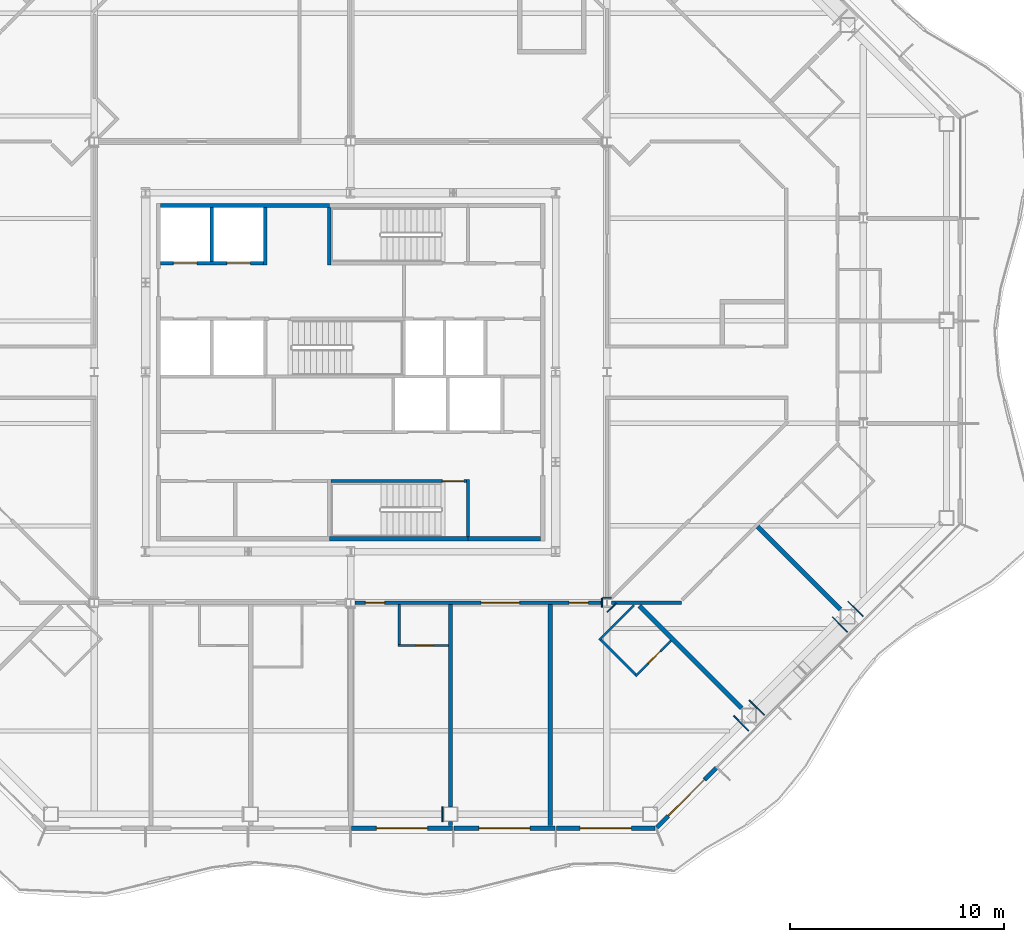
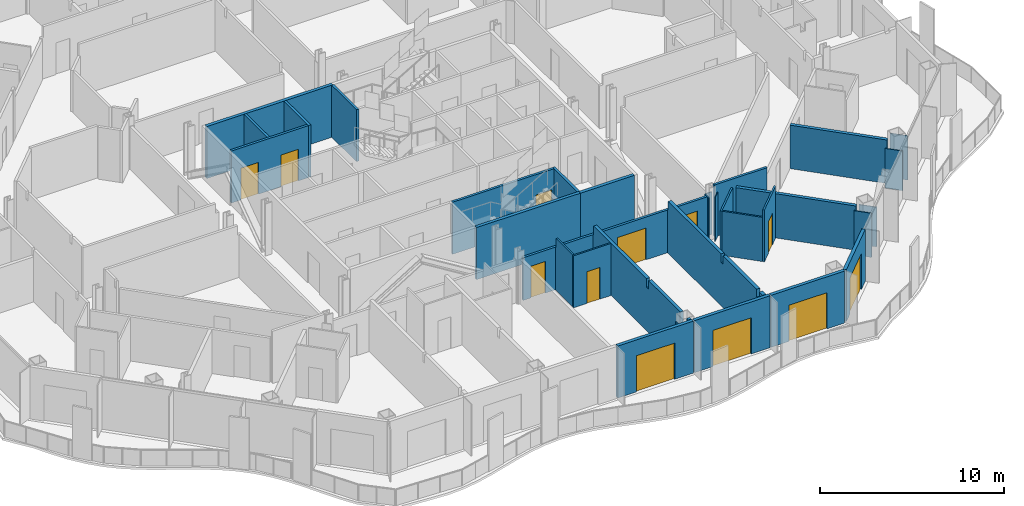
# One storey, part 9 of 21: 33 walls, 12 doors, 12 openings.
"""IFC4 building model written with IfcOpenShell, lengths in metres."""

from ifc_helpers import new_model, si_unit, direction, frame, frame_2d, origin, place, context, subcontext, project, spatial, polyline, rectangle, outline, extrude, material, layer, layer_set, type_object, element, fill, save


model = new_model("IFC4")

# Units and contexts
model_context = context("Model", 3, precision=1e-05, world=origin(), true_north=direction((0.0, 1.0)))
body_context = subcontext(model_context, "Body", "Model", "MODEL_VIEW")
ifc_project = project(units=[si_unit("LENGTHUNIT", "METRE"), si_unit("AREAUNIT", "SQUARE_METRE"), si_unit("VOLUMEUNIT", "CUBIC_METRE"), si_unit("PLANEANGLEUNIT", "RADIAN"), si_unit("MASSUNIT", "GRAM", prefix="KILO")], contexts=[model_context])

# Site, building, storey
site_placement = place(None, origin())
site = spatial("IfcSite", under=ifc_project, at=site_placement, CompositionType="ELEMENT")
building_placement = place(site_placement, origin())
building = spatial("IfcBuilding", under=site, at=building_placement, Name="Cairn Pilgrim Tower", CompositionType="ELEMENT")
storey_placement = place(building_placement, frame((0.0, 0.0, 136.199951171875)))
storey = spatial("IfcBuildingStorey", under=building, at=storey_placement, Name="L33", CompositionType="ELEMENT", Elevation=136.199951171875)

# Wall, opening, door
ifc_material_1 = material(Name="Bronze anodised aluminium insulated sandwich panel with mineral wool fill", Category="aluminium")
ifc_layer_1 = layer(ifc_material_1, 0.199951171875)
ifc_layer_set_1 = layer_set([ifc_layer_1], Name="BRONZE INFILL FRAME WALL 200")
wall_type_1 = type_object("IfcWallType", Name="BRONZE INFILL FRAME WALL 200", PredefinedType="NOTDEFINED", material=ifc_layer_set_1)
wall_1_placement = place(storey_placement, frame((7.22998046875, -18.949951171875, 0.0), z_axis=(0.0, 0.0, 1.0), x_axis=(1.0, 0.0, 0.0)))
wall_1 = element("IfcWall", 1, at=wall_1_placement, inside=storey, type_object=wall_type_1, Name="Bronze infill frame wall IW-S4", PredefinedType="NOTDEFINED", context=body_context, shape_type="SweptSolid", body=[
    extrude(rectangle(XDim=4.739990234375, YDim=0.199951171875, at=frame_2d((2.3701171875, 0.0))), origin(), (0.0, 0.0, 1.0), 3.449951171875),
])
opening_1_placement = place(wall_1_placement, frame((1.169921875, 0.0, 0.0)))
opening_1 = element("IfcOpeningElement", 2, at=opening_1_placement, cuts=wall_1, Name="Opening 3301B", PredefinedType="OPENING", context=body_context, shape_type="SweptSolid", body=[
    extrude(rectangle(XDim=2.39990234375, YDim=2.39990234375, at=frame_2d((1.199951171875, 1.199951171875))), frame((0.0, 0.10986328125, 0.0), z_axis=(0.0, -1.0, 0.0), x_axis=(1.0, 0.0, 0.0)), (0.0, 0.0, 1.0), 0.219970703125),
])
ifc_material_2 = material(Name="Bronze anodised aluminium frame with tinted low-E glass", Category="aluminium")
door_type_1 = type_object("IfcDoorType", Name="BALCONY SLIDING DOOR 2400x2400", OperationType="DOUBLE_DOOR_SLIDING", PredefinedType="DOOR", material=ifc_material_2)
door_1_placement = place(opening_1_placement, origin())
door_1 = element("IfcDoor", 3, at=door_1_placement, inside=storey, type_object=door_type_1, Name="Balcony sliding door 3301B", OperationType="SINGLE_SWING_LEFT", OverallHeight=2.39990234375, OverallWidth=2.39990234375, PredefinedType="DOOR", context=body_context, shape_type="SweptSolid", body=[
    extrude(rectangle(XDim=2.39990234375, YDim=2.39990234375, at=frame_2d((1.199951171875, 1.199951171875))), frame((0.0, 0.02490234375, 0.0), z_axis=(0.0, -1.0, 0.0), x_axis=(1.0, 0.0, 0.0)), (0.0, 0.0, 1.0), 0.050048828125),
])
fill(opening_1, door_1)

wall_2_placement = place(storey_placement, frame((12.030029296875, -18.949951171875, 0.0), z_axis=(0.0, 0.0, 1.0), x_axis=(1.0, 0.0, 0.0)))
wall_2 = element("IfcWall", 4, at=wall_2_placement, inside=storey, type_object=wall_type_1, Name="Bronze infill frame wall IW-S5", PredefinedType="NOTDEFINED", context=body_context, shape_type="SweptSolid", body=[
    extrude(rectangle(XDim=4.739990234375, YDim=0.199951171875, at=frame_2d((2.3701171875, 0.0))), origin(), (0.0, 0.0, 1.0), 3.449951171875),
])
opening_2_placement = place(wall_2_placement, frame((1.169677734375, 0.0, 0.0)))
opening_2 = element("IfcOpeningElement", 5, at=opening_2_placement, cuts=wall_2, Name="Opening 3302B", PredefinedType="OPENING", context=body_context, shape_type="SweptSolid", body=[
    extrude(rectangle(XDim=2.39990234375, YDim=2.39990234375, at=frame_2d((1.199951171875, 1.199951171875))), frame((0.0, 0.10986328125, 0.0), z_axis=(0.0, -1.0, 0.0), x_axis=(1.0, 0.0, 0.0)), (0.0, 0.0, 1.0), 0.219970703125),
])
door_2_placement = place(opening_2_placement, origin())
door_2 = element("IfcDoor", 6, at=door_2_placement, inside=storey, type_object=door_type_1, Name="Balcony sliding door 3302B", OperationType="SINGLE_SWING_LEFT", OverallHeight=2.39990234375, OverallWidth=2.39990234375, PredefinedType="DOOR", context=body_context, shape_type="SweptSolid", body=[
    extrude(rectangle(XDim=2.39990234375, YDim=2.39990234375, at=frame_2d((1.199951171875, 1.199951171875))), frame((0.0, 0.02490234375, 0.0), z_axis=(0.0, -1.0, 0.0), x_axis=(1.0, 0.0, 0.0)), (0.0, 0.0, 1.0), 0.050048828125),
])
fill(opening_2, door_2)

wall_3_placement = place(storey_placement, frame((16.830078125, -18.949951171875, 0.0), z_axis=(0.0, 0.0, 1.0), x_axis=(1.0, 0.0, 0.0)))
wall_3 = element("IfcWall", 7, at=wall_3_placement, inside=storey, type_object=wall_type_1, Name="Bronze infill frame wall IW-S6", PredefinedType="NOTDEFINED", context=body_context, shape_type="SweptSolid", body=[
    extrude(rectangle(XDim=4.62646484375, YDim=0.199951171875, at=frame_2d((2.313232421875, 0.0))), origin(), (0.0, 0.0, 1.0), 3.449951171875),
])
opening_3_placement = place(wall_3_placement, frame((1.118408203125, 0.0, 0.0)))
opening_3 = element("IfcOpeningElement", 8, at=opening_3_placement, cuts=wall_3, Name="Opening 3303B2", PredefinedType="OPENING", context=body_context, shape_type="SweptSolid", body=[
    extrude(rectangle(XDim=2.39990234375, YDim=2.39990234375, at=frame_2d((1.199951171875, 1.199951171875))), frame((0.0, 0.10986328125, 0.0), z_axis=(0.0, -1.0, 0.0), x_axis=(1.0, 0.0, 0.0)), (0.0, 0.0, 1.0), 0.219970703125),
])
door_3_placement = place(opening_3_placement, origin())
door_3 = element("IfcDoor", 9, at=door_3_placement, inside=storey, type_object=door_type_1, Name="Balcony sliding door 3303B2", OperationType="SINGLE_SWING_LEFT", OverallHeight=2.39990234375, OverallWidth=2.39990234375, PredefinedType="DOOR", context=body_context, shape_type="SweptSolid", body=[
    extrude(rectangle(XDim=2.39990234375, YDim=2.39990234375, at=frame_2d((1.199951171875, 1.199951171875))), frame((0.0, 0.02490234375, 0.0), z_axis=(0.0, -1.0, 0.0), x_axis=(1.0, 0.0, 0.0)), (0.0, 0.0, 1.0), 0.050048828125),
])
fill(opening_3, door_3)

wall_4_placement = place(storey_placement, frame((21.524658203125, -18.921630859375, 0.0), z_axis=(0.0, 0.0, 1.0), x_axis=(0.707137595296, 0.707075965734, 0.0)))
wall_4 = element("IfcWall", 10, at=wall_4_placement, inside=storey, type_object=wall_type_1, Name="Bronze infill frame wall IW-SE1", PredefinedType="NOTDEFINED", context=body_context, shape_type="SweptSolid", body=[
    extrude(rectangle(XDim=3.96142578125, YDim=0.199951171875, at=frame_2d((1.980712890625, 0.0))), origin(), (0.0, 0.0, 1.0), 3.449951171875),
])
opening_4_placement = place(wall_4_placement, frame((0.775390625, 0.0, 0.0)))
opening_4 = element("IfcOpeningElement", 11, at=opening_4_placement, cuts=wall_4, Name="Opening 3303B", PredefinedType="OPENING", context=body_context, shape_type="SweptSolid", body=[
    extrude(rectangle(XDim=2.39990234375, YDim=2.39990234375, at=frame_2d((1.199951171875, 1.199951171875))), frame((0.0, 0.10986328125, 0.0), z_axis=(0.0, -1.0, 0.0), x_axis=(1.0, 0.0, 0.0)), (0.0, 0.0, 1.0), 0.219970703125),
])
door_4_placement = place(opening_4_placement, origin())
door_4 = element("IfcDoor", 12, at=door_4_placement, inside=storey, type_object=door_type_1, Name="Balcony sliding door 3303B", OperationType="SINGLE_SWING_LEFT", OverallHeight=2.39990234375, OverallWidth=2.39990234375, PredefinedType="DOOR", context=body_context, shape_type="SweptSolid", body=[
    extrude(rectangle(XDim=2.39990234375, YDim=2.39990234375, at=frame_2d((1.199951171875, 1.199951171875))), frame((0.0, 0.02490234375, 0.0), z_axis=(0.0, -1.0, 0.0), x_axis=(1.0, 0.0, 0.0)), (0.0, 0.0, 1.0), 0.050048828125),
])
fill(opening_4, door_4)

# Walls
ifc_material_3 = material(Name="Concrete C32/40", Category="concrete")
ifc_layer_2 = layer(ifc_material_3, 0.199951171875)
ifc_layer_set_2 = layer_set([ifc_layer_2], Name="CORE OUTER WALL 200 EI 120")
wall_type_2 = type_object("IfcWallType", Name="CORE OUTER WALL 200 EI 120", PredefinedType="SOLIDWALL", material=ifc_layer_set_2)
wall_5_placement = place(storey_placement, frame((12.699951171875, -5.39990234375, 0.0), z_axis=(0.0, 0.0, 1.0), x_axis=(1.0, 0.0, 0.0)))
element("IfcWall", 13, at=wall_5_placement, inside=storey, type_object=wall_type_2, Name="CW:L33:H01-3", PredefinedType="SOLIDWALL", context=body_context, shape_type="SweptSolid", body=[
    extrude(rectangle(XDim=3.400146484375, YDim=0.199951171875, at=frame_2d((1.7001953125, 0.0))), origin(), (0.0, 0.0, 1.0), 3.449951171875),
])
wall_6_placement = place(storey_placement, frame((-1.699951171875, 10.199951171875, 0.0), z_axis=(0.0, 0.0, 1.0), x_axis=(1.0, 0.0, 0.0)))
element("IfcWall", 14, at=wall_6_placement, inside=storey, type_object=wall_type_2, Name="CW:L33:H12-1", PredefinedType="SOLIDWALL", context=body_context, shape_type="SweptSolid", body=[
    extrude(rectangle(XDim=7.89990234375, YDim=0.199951171875, at=frame_2d((3.949951171875, 0.0))), origin(), (0.0, 0.0, 1.0), 3.449951171875),
])

# Wall, openings, doors
ifc_layer_3 = layer(ifc_material_3, 0.14990234375)
ifc_layer_set_3 = layer_set([ifc_layer_3], Name="CORE SHAFT WALL 150 EI 120")
wall_type_3 = type_object("IfcWallType", Name="CORE SHAFT WALL 150 EI 120", PredefinedType="SOLIDWALL", material=ifc_layer_set_3)
wall_7_placement = place(storey_placement, frame((-1.699951171875, 7.5, 0.0), z_axis=(0.0, 0.0, 1.0), x_axis=(1.0, 0.0, 0.0)))
wall_7 = element("IfcWall", 15, at=wall_7_placement, inside=storey, type_object=wall_type_3, Name="CW:L33:H10", PredefinedType="SOLIDWALL", context=body_context, shape_type="SweptSolid", body=[
    extrude(rectangle(XDim=4.824951171875, YDim=0.14990234375, at=frame_2d((2.41259765625, 0.0))), origin(), (0.0, 0.0, 1.0), 3.449951171875),
])
opening_5_placement = place(wall_7_placement, frame((0.60009765625, 0.0, 0.0)))
opening_5 = element("IfcOpeningElement", 16, at=opening_5_placement, cuts=wall_7, Name="Opening LD-HR3", PredefinedType="OPENING", context=body_context, shape_type="SweptSolid", body=[
    extrude(rectangle(XDim=1.10009765625, YDim=2.10009765625, at=frame_2d((0.550048828125, 1.050048828125))), frame((0.0, 0.0849609375, 0.0), z_axis=(0.0, -1.0, 0.0), x_axis=(1.0, 0.0, 0.0)), (0.0, 0.0, 1.0), 0.169921875),
])
opening_6_placement = place(wall_7_placement, frame((3.10009765625, 0.0, 0.0)))
opening_6 = element("IfcOpeningElement", 17, at=opening_6_placement, cuts=wall_7, Name="Opening LD-HR4", PredefinedType="OPENING", context=body_context, shape_type="SweptSolid", body=[
    extrude(rectangle(XDim=1.10009765625, YDim=2.10009765625, at=frame_2d((0.550048828125, 1.050048828125))), frame((0.0, 0.0849609375, 0.0), z_axis=(0.0, -1.0, 0.0), x_axis=(1.0, 0.0, 0.0)), (0.0, 0.0, 1.0), 0.169921875),
])
ifc_material_4 = material(Name="Stainless steel", Category="steel")
door_type_2 = type_object("IfcDoorType", Name="LIFT LANDING DOOR 1100x2100", OperationType="DOUBLE_DOOR_SLIDING", PredefinedType="DOOR", material=ifc_material_4)
door_5_placement = place(opening_5_placement, origin())
door_5 = element("IfcDoor", 18, at=door_5_placement, inside=storey, type_object=door_type_2, Name="LANDING DOOR HR3", OperationType="DOUBLE_DOOR_SLIDING", OverallHeight=2.10009765625, OverallWidth=1.10009765625, PredefinedType="DOOR", context=body_context, shape_type="SweptSolid", body=[
    extrude(rectangle(XDim=1.10009765625, YDim=2.10009765625, at=frame_2d((0.550048828125, 1.050048828125))), frame((0.0, 0.02490234375, 0.0), z_axis=(0.0, -1.0, 0.0), x_axis=(1.0, 0.0, 0.0)), (0.0, 0.0, 1.0), 0.050048828125),
])
fill(opening_5, door_5)
door_6_placement = place(opening_6_placement, origin())
door_6 = element("IfcDoor", 19, at=door_6_placement, inside=storey, type_object=door_type_2, Name="LANDING DOOR HR4", OperationType="DOUBLE_DOOR_SLIDING", OverallHeight=2.10009765625, OverallWidth=1.10009765625, PredefinedType="DOOR", context=body_context, shape_type="SweptSolid", body=[
    extrude(rectangle(XDim=1.10009765625, YDim=2.10009765625, at=frame_2d((0.550048828125, 1.050048828125))), frame((0.0, 0.02490234375, 0.0), z_axis=(0.0, -1.0, 0.0), x_axis=(1.0, 0.0, 0.0)), (0.0, 0.0, 1.0), 0.050048828125),
])
fill(opening_6, door_6)

# Walls
wall_8_placement = place(storey_placement, frame((0.699951171875, 7.574951171875, 0.0), z_axis=(0.0, 0.0, 1.0), x_axis=(0.0, 1.0, 0.0)))
element("IfcWall", 20, at=wall_8_placement, inside=storey, type_object=wall_type_3, Name="CW:L33:V15", PredefinedType="SOLIDWALL", context=body_context, shape_type="SweptSolid", body=[
    extrude(rectangle(XDim=2.525146484375, YDim=0.14990234375, at=frame_2d((1.2626953125, 0.0))), origin(), (0.0, 0.0, 1.0), 3.449951171875),
])
wall_9_placement = place(storey_placement, frame((3.199951171875, 7.425048828125, 0.0), z_axis=(0.0, 0.0, 1.0), x_axis=(0.0, 1.0, 0.0)))
element("IfcWall", 21, at=wall_9_placement, inside=storey, type_object=wall_type_3, Name="CW:L33:V18", PredefinedType="SOLIDWALL", context=body_context, shape_type="SweptSolid", body=[
    extrude(rectangle(XDim=2.675048828125, YDim=0.14990234375, at=frame_2d((1.33740234375, 0.0))), origin(), (0.0, 0.0, 1.0), 3.449951171875),
])

# Wall, opening, door
ifc_material_5 = material(Name="Gypsum partition")
ifc_layer_4 = layer(ifc_material_5, 0.10009765625)
ifc_layer_set_4 = layer_set([ifc_layer_4], Name="PARTITION 100 DRYWALL")
wall_type_4 = type_object("IfcWallType", Name="PARTITION 100 DRYWALL", PredefinedType="PARTITIONING", material=ifc_layer_set_4)
wall_10_placement = place(storey_placement, frame((20.54052734375, -11.829345703125, 0.0), z_axis=(0.0, 0.0, 1.0), x_axis=(0.707158722772, 0.707054835785, 0.0)))
wall_10 = element("IfcWall", 22, at=wall_10_placement, inside=storey, type_object=wall_type_4, Name="PARTITION W012", PredefinedType="PARTITIONING", context=body_context, shape_type="SweptSolid", body=[
    extrude(rectangle(XDim=2.35009765625, YDim=0.10009765625, at=frame_2d((1.175048828125, 0.0))), origin(), (0.0, 0.0, 1.0), 3.449951171875),
])
opening_7_placement = place(wall_10_placement, frame((0.85009765625, 0.0, 0.0)))
opening_7 = element("IfcOpeningElement", 23, at=opening_7_placement, cuts=wall_10, Name="Opening 3303A", PredefinedType="OPENING", context=body_context, shape_type="SweptSolid", body=[
    extrude(rectangle(XDim=0.800048828125, YDim=2.10009765625, at=frame_2d((0.39990234375, 1.050048828125))), frame((0.0, 0.06005859375, 0.0), z_axis=(0.0, -1.0, 0.0), x_axis=(1.0, 0.0, 0.0)), (0.0, 0.0, 1.0), 0.1201171875),
])
ifc_material_6 = material(Name="Timber door leaf", Category="wood")
door_type_3 = type_object("IfcDoorType", Name="WC DOOR 800x2100", OperationType="NOTDEFINED", PredefinedType="DOOR", material=ifc_material_6)
door_7_placement = place(opening_7_placement, frame((0.800048828125, 0.0, 0.0), z_axis=(0.0, 0.0, 1.0), x_axis=(-1.0, 0.0, 0.0)))
door_7 = element("IfcDoor", 24, at=door_7_placement, inside=storey, type_object=door_type_3, Name="DOOR 3303A", OperationType="SINGLE_SWING_LEFT", OverallHeight=2.10009765625, OverallWidth=0.800048828125, PredefinedType="DOOR", context=body_context, shape_type="SweptSolid", body=[
    extrude(rectangle(XDim=0.800048828125, YDim=2.10009765625, at=frame_2d((0.39990234375, 1.050048828125))), frame((0.0, 0.02490234375, 0.0), z_axis=(0.0, -1.0, 0.0), x_axis=(1.0, 0.0, 0.0)), (0.0, 0.0, 1.0), 0.050048828125),
])
fill(opening_7, door_7)

# Wall
wall_11_placement = place(storey_placement, frame((20.54052734375, -11.758544921875, 0.0), z_axis=(0.0, 0.0, 1.0), x_axis=(-0.707106781187, 0.707106781187, 0.0)))
element("IfcWall", 25, at=wall_11_placement, inside=storey, type_object=wall_type_4, Name="PARTITION W013", PredefinedType="PARTITIONING", context=body_context, shape_type="SweptSolid", body=[
    extrude(rectangle(XDim=2.2998046875, YDim=0.10009765625, at=frame_2d((1.14990234375, 0.0))), origin(), (0.0, 0.0, 1.0), 2.929931640625),
])

# Wall, opening, door
wall_12_placement = place(storey_placement, frame((9.426025390625, -10.39990234375, 0.0), z_axis=(0.0, 0.0, 1.0), x_axis=(1.0, 0.0, 0.0)))
wall_12 = element("IfcWall", 26, at=wall_12_placement, inside=storey, type_object=wall_type_4, Name="PARTITION W018", PredefinedType="PARTITIONING", context=body_context, shape_type="SweptSolid", body=[
    extrude(rectangle(XDim=2.349853515625, YDim=0.10009765625, at=frame_2d((1.1748046875, 0.0))), origin(), (0.0, 0.0, 1.0), 3.449951171875),
])
opening_8_placement = place(wall_12_placement, frame((0.85009765625, 0.0, 0.0)))
opening_8 = element("IfcOpeningElement", 27, at=opening_8_placement, cuts=wall_12, Name="Opening 3301A", PredefinedType="OPENING", context=body_context, shape_type="SweptSolid", body=[
    extrude(rectangle(XDim=0.800048828125, YDim=2.10009765625, at=frame_2d((0.39990234375, 1.050048828125))), frame((0.0, 0.06005859375, 0.0), z_axis=(0.0, -1.0, 0.0), x_axis=(1.0, 0.0, 0.0)), (0.0, 0.0, 1.0), 0.1201171875),
])
door_8_placement = place(opening_8_placement, frame((0.800048828125, 0.0, 0.0), z_axis=(0.0, 0.0, 1.0), x_axis=(-1.0, 0.0, 0.0)))
door_8 = element("IfcDoor", 28, at=door_8_placement, inside=storey, type_object=door_type_3, Name="DOOR 3301A", OperationType="SINGLE_SWING_LEFT", OverallHeight=2.10009765625, OverallWidth=0.800048828125, PredefinedType="DOOR", context=body_context, shape_type="SweptSolid", body=[
    extrude(rectangle(XDim=0.800048828125, YDim=2.10009765625, at=frame_2d((0.39990234375, 1.050048828125))), frame((0.0, 0.02490234375, 0.0), z_axis=(0.0, -1.0, 0.0), x_axis=(1.0, 0.0, 0.0)), (0.0, 0.0, 1.0), 0.050048828125),
])
fill(opening_8, door_8)

# Walls
wall_13_placement = place(storey_placement, frame((9.47607421875, -10.35009765625, 0.0), z_axis=(0.0, 0.0, 1.0), x_axis=(0.0, 1.0, 0.0)))
element("IfcWall", 29, at=wall_13_placement, inside=storey, type_object=wall_type_4, Name="PARTITION W020", PredefinedType="PARTITIONING", context=body_context, shape_type="SweptSolid", body=[
    extrude(outline(polyline([(0.0, 0.0), (1.875, 0.0), (1.875, 2.830078125), (1.800048828125, 2.830078125), (1.798095703125, 3.449951171875), (0.0, 3.449951171875), (0.0, 0.0)])), frame((0.0, 0.050048828125, 0.0), z_axis=(0.0, -1.0, 0.0), x_axis=(1.0, 0.0, 0.0)), (0.0, 0.0, 1.0), 0.10009765625),
])
wall_14_placement = place(storey_placement, frame((18.843505859375, -10.13232421875, 0.0), z_axis=(0.0, 0.0, 1.0), x_axis=(0.707159989116, 0.707053569253, 0.0)))
element("IfcWall", 30, at=wall_14_placement, inside=storey, type_object=wall_type_4, Name="PARTITION W022", PredefinedType="PARTITIONING", context=body_context, shape_type="SweptSolid", body=[
    extrude(rectangle(XDim=2.294189453125, YDim=0.10009765625, at=frame_2d((1.14697265625, 0.0))), origin(), (0.0, 0.0, 1.0), 2.929931640625),
])

# Wall, openings, doors
ifc_layer_5 = layer(ifc_material_5, 0.14990234375)
ifc_layer_set_5 = layer_set([ifc_layer_5], Name="PARTITION 150 DRYWALL EI 60")
wall_type_5 = type_object("IfcWallType", Name="PARTITION 150 DRYWALL EI 60", PredefinedType="PARTITIONING", material=ifc_layer_set_5)
wall_15_placement = place(storey_placement, frame((7.404541015625, -8.39990234375, 0.0), z_axis=(0.0, 0.0, 1.0), x_axis=(1.0, 0.0, 0.0)))
wall_15 = element("IfcWall", 31, at=wall_15_placement, inside=storey, type_object=wall_type_5, Name="PARTITION W027", PredefinedType="PARTITIONING", context=body_context, shape_type="SweptSolid", body=[
    extrude(rectangle(XDim=11.591064453125, YDim=0.14990234375, at=frame_2d((5.79541015625, 0.0))), origin(), (0.0, 0.0, 1.0), 2.830078125),
])
opening_9_placement = place(wall_15_placement, frame((0.4833984375, 0.0, 0.0)))
opening_9 = element("IfcOpeningElement", 32, at=opening_9_placement, cuts=wall_15, Name="Opening 3301", PredefinedType="OPENING", context=body_context, shape_type="SweptSolid", body=[
    extrude(rectangle(XDim=0.89990234375, YDim=2.10009765625, at=frame_2d((0.449951171875, 1.050048828125))), frame((0.0, 0.0849609375, 0.0), z_axis=(0.0, -1.0, 0.0), x_axis=(1.0, 0.0, 0.0)), (0.0, 0.0, 1.0), 0.169921875),
])
opening_10_placement = place(wall_15_placement, frame((5.909423828125, 0.0, 0.0)))
opening_10 = element("IfcOpeningElement", 33, at=opening_10_placement, cuts=wall_15, Name="Opening 3302", PredefinedType="OPENING", context=body_context, shape_type="SweptSolid", body=[
    extrude(rectangle(XDim=1.800048828125, YDim=2.10009765625, at=frame_2d((0.89990234375, 1.050048828125))), frame((0.0, 0.0849609375, 0.0), z_axis=(0.0, -1.0, 0.0), x_axis=(1.0, 0.0, 0.0)), (0.0, 0.0, 1.0), 0.169921875),
])
opening_11_placement = place(wall_15_placement, frame((10.021484375, 0.0, 0.0)))
opening_11 = element("IfcOpeningElement", 34, at=opening_11_placement, cuts=wall_15, Name="Opening 3303", PredefinedType="OPENING", context=body_context, shape_type="SweptSolid", body=[
    extrude(rectangle(XDim=0.89990234375, YDim=2.10009765625, at=frame_2d((0.449951171875, 1.050048828125))), frame((0.0, 0.0849609375, 0.0), z_axis=(0.0, -1.0, 0.0), x_axis=(1.0, 0.0, 0.0)), (0.0, 0.0, 1.0), 0.169921875),
])
door_type_4 = type_object("IfcDoorType", Name="DOOR PAIR 1800x2100 FD60S", OperationType="NOTDEFINED", PredefinedType="DOOR", material=ifc_material_6)
door_9_placement = place(opening_10_placement, frame((1.800048828125, 0.0, 0.0), z_axis=(0.0, 0.0, 1.0), x_axis=(-1.0, 0.0, 0.0)))
door_9 = element("IfcDoor", 35, at=door_9_placement, inside=storey, type_object=door_type_4, Name="DOOR 3302", OperationType="DOUBLE_DOOR_SINGLE_SWING", OverallHeight=2.10009765625, OverallWidth=1.800048828125, PredefinedType="DOOR", context=body_context, shape_type="SweptSolid", body=[
    extrude(rectangle(XDim=1.800048828125, YDim=2.10009765625, at=frame_2d((0.89990234375, 1.050048828125))), frame((0.0, 0.02490234375, 0.0), z_axis=(0.0, -1.0, 0.0), x_axis=(1.0, 0.0, 0.0)), (0.0, 0.0, 1.0), 0.050048828125),
])
fill(opening_10, door_9)
door_type_5 = type_object("IfcDoorType", Name="ROOM DOOR 900x2100 FD30S", OperationType="NOTDEFINED", PredefinedType="DOOR", material=ifc_material_6)
door_10_placement = place(opening_9_placement, frame((0.89990234375, 0.0, 0.0), z_axis=(0.0, 0.0, 1.0), x_axis=(-1.0, 0.0, 0.0)))
door_10 = element("IfcDoor", 36, at=door_10_placement, inside=storey, type_object=door_type_5, Name="DOOR 3301", OperationType="SINGLE_SWING_LEFT", OverallHeight=2.10009765625, OverallWidth=0.89990234375, PredefinedType="DOOR", context=body_context, shape_type="SweptSolid", body=[
    extrude(rectangle(XDim=0.89990234375, YDim=2.10009765625, at=frame_2d((0.449951171875, 1.050048828125))), frame((0.0, 0.02490234375, 0.0), z_axis=(0.0, -1.0, 0.0), x_axis=(1.0, 0.0, 0.0)), (0.0, 0.0, 1.0), 0.050048828125),
])
fill(opening_9, door_10)
door_11_placement = place(opening_11_placement, frame((0.89990234375, 0.0, 0.0), z_axis=(0.0, 0.0, 1.0), x_axis=(-1.0, 0.0, 0.0)))
door_11 = element("IfcDoor", 37, at=door_11_placement, inside=storey, type_object=door_type_5, Name="DOOR 3303", OperationType="SINGLE_SWING_LEFT", OverallHeight=2.10009765625, OverallWidth=0.89990234375, PredefinedType="DOOR", context=body_context, shape_type="SweptSolid", body=[
    extrude(rectangle(XDim=0.89990234375, YDim=2.10009765625, at=frame_2d((0.449951171875, 1.050048828125))), frame((0.0, 0.02490234375, 0.0), z_axis=(0.0, -1.0, 0.0), x_axis=(1.0, 0.0, 0.0)), (0.0, 0.0, 1.0), 0.050048828125),
])
fill(opening_11, door_11)

# Walls
wall_16_placement = place(storey_placement, frame((19.404541015625, -8.39990234375, 0.0), z_axis=(0.0, 0.0, 1.0), x_axis=(1.0, 0.0, 0.0)))
element("IfcWall", 38, at=wall_16_placement, inside=storey, type_object=wall_type_5, Name="PARTITION W028", PredefinedType="PARTITIONING", context=body_context, shape_type="SweptSolid", body=[
    extrude(rectangle(XDim=3.29541015625, YDim=0.14990234375, at=frame_2d((1.647705078125, 0.0))), origin(), (0.0, 0.0, 1.0), 3.449951171875),
])
ifc_layer_6 = layer(ifc_material_5, 0.050048828125)
ifc_layer_set_6 = layer_set([ifc_layer_6], Name="PARTITION 50 DRYWALL EI 60")
wall_type_6 = type_object("IfcWallType", Name="PARTITION 50 DRYWALL EI 60", PredefinedType="PARTITIONING", material=ifc_layer_set_6)
wall_17_placement = place(storey_placement, frame((11.500732421875, -18.64990234375, 0.0), z_axis=(0.0, 0.0, 1.0), x_axis=(0.0, 1.0, 0.0)))
element("IfcWall", 39, at=wall_17_placement, inside=storey, type_object=wall_type_6, Name="COLUMN CASING WC03", PredefinedType="PARTITIONING", context=body_context, shape_type="SweptSolid", body=[
    extrude(rectangle(XDim=0.699951171875, YDim=0.050048828125, at=frame_2d((0.35009765625, 0.0))), origin(), (0.0, 0.0, 1.0), 2.929931640625),
])
wall_18_placement = place(storey_placement, frame((25.833740234375, -14.393310546875, 0.0), z_axis=(0.0, 0.0, 1.0), x_axis=(-0.707106781187, 0.707106781187, 0.0)))
element("IfcWall", 40, at=wall_18_placement, inside=storey, type_object=wall_type_6, Name="COLUMN CASING WC06", PredefinedType="PARTITIONING", context=body_context, shape_type="SweptSolid", body=[
    extrude(rectangle(XDim=0.989990234375, YDim=0.050048828125, at=frame_2d((0.4951171875, 0.0))), origin(), (0.0, 0.0, 1.0), 2.929931640625),
])
for number, where, z_axis, x_axis, name in (
    (41, (26.569091796875, -13.657958984375, 0.0), (0.0, 0.0, 1.0), (-0.707106781187, 0.707106781187, 0.0), "COLUMN CASING WC07"),
    (42, (30.4580078125, -9.769287109375, 0.0), (0.0, 0.0, 1.0), (-0.706983473703, 0.707230067171, 0.0), "COLUMN CASING WC09"),
):
    element("IfcWall", number, at=place(storey_placement, frame(where, z_axis=z_axis, x_axis=x_axis)), inside=storey, type_object=wall_type_6, Name=name, PredefinedType="PARTITIONING", context=body_context, shape_type="SweptSolid", body=[
        extrude(rectangle(XDim=0.989990234375, YDim=0.050048828125, at=frame_2d((0.4951171875, 0.0))), origin(), (0.0, 0.0, 1.0), 2.630126953125),
    ])
wall_19_placement = place(storey_placement, frame((31.193359375, -9.03369140625, 0.0), z_axis=(0.0, 0.0, 1.0), x_axis=(-0.707106781187, 0.707106781187, 0.0)))
element("IfcWall", 43, at=wall_19_placement, inside=storey, type_object=wall_type_6, Name="COLUMN CASING WC10", PredefinedType="PARTITIONING", context=body_context, shape_type="SweptSolid", body=[
    extrude(rectangle(XDim=0.989990234375, YDim=0.050048828125, at=frame_2d((0.4951171875, 0.0))), origin(), (0.0, 0.0, 1.0), 2.929931640625),
])
wall_20_placement = place(storey_placement, frame((18.99560546875, -8.16259765625, 0.0), z_axis=(0.0, 0.0, 1.0), x_axis=(1.0, 0.0, 0.0)))
element("IfcWall", 44, at=wall_20_placement, inside=storey, type_object=wall_type_6, Name="COLUMN CASING WC13", PredefinedType="PARTITIONING", context=body_context, shape_type="SweptSolid", body=[
    extrude(rectangle(XDim=0.408935546875, YDim=0.050048828125, at=frame_2d((0.20458984375, 0.0))), origin(), (0.0, 0.0, 1.0), 2.830078125),
])
wall_21_placement = place(storey_placement, frame((18.970458984375, -8.612548828125, 0.0), z_axis=(0.0, 0.0, 1.0), x_axis=(0.0, 1.0, 0.0)))
element("IfcWall", 45, at=wall_21_placement, inside=storey, type_object=wall_type_6, Name="COLUMN CASING WC16", PredefinedType="PARTITIONING", context=body_context, shape_type="SweptSolid", body=[
    extrude(rectangle(XDim=0.425048828125, YDim=0.050048828125, at=frame_2d((0.21240234375, 0.0))), origin(), (0.0, 0.0, 1.0), 2.830078125),
])
wall_22_placement = place(storey_placement, frame((19.2177734375, -8.834716796875, 0.0), z_axis=(0.0, 0.0, 1.0), x_axis=(0.707106781187, 0.707106781187, 0.0)))
element("IfcWall", 46, at=wall_22_placement, inside=storey, type_object=wall_type_6, Name="COLUMN CASING WC17", PredefinedType="PARTITIONING", context=body_context, shape_type="SweptSolid", body=[
    extrude(rectangle(XDim=0.589599609375, YDim=0.050048828125, at=frame_2d((0.294921875, 0.0))), origin(), (0.0, 0.0, 1.0), 2.929931640625),
])
ifc_layer_7 = layer(ifc_material_5, 0.199951171875)
ifc_layer_set_7 = layer_set([ifc_layer_7], Name="SHAFT WALL 200 GYPSUM EI 60")
wall_type_7 = type_object("IfcWallType", Name="SHAFT WALL 200 GYPSUM EI 60", PredefinedType="PARTITIONING", material=ifc_layer_set_7)
wall_23_placement = place(storey_placement, frame((11.8759765625, -18.820068359375, 0.0), z_axis=(0.0, 0.0, 1.0), x_axis=(0.0, 1.0, 0.0)))
element("IfcWall", 47, at=wall_23_placement, inside=storey, type_object=wall_type_7, Name="PARTITION W004", PredefinedType="PARTITIONING", context=body_context, shape_type="SweptSolid", body=[
    extrude(rectangle(XDim=0.170166015625, YDim=0.199951171875, at=frame_2d((0.0849609375, 0.0))), origin(), (0.0, 0.0, 1.0), 3.449951171875),
])
wall_24_placement = place(storey_placement, frame((16.552001953125, -18.820068359375, 0.0), z_axis=(0.0, 0.0, 1.0), x_axis=(0.0, 1.0, 0.0)))
element("IfcWall", 48, at=wall_24_placement, inside=storey, type_object=wall_type_7, Name="PARTITION W005", PredefinedType="PARTITIONING", context=body_context, shape_type="SweptSolid", body=[
    extrude(outline(polyline([(0.0, 0.0), (10.344970703125, 0.0), (10.344970703125, 2.830078125), (10.27001953125, 2.830078125), (10.26806640625, 3.449951171875), (4.52490234375, 3.449951171875), (4.52294921875, 2.880126953125), (4.31494140625, 2.880126953125), (4.31298828125, 3.449951171875), (0.669921875, 3.449951171875), (0.66796875, 2.929931640625), (0.3701171875, 2.929931640625), (0.367919921875, 3.449951171875), (0.0, 3.449951171875), (0.0, 0.0)])), frame((0.0, 0.10009765625, 0.0), z_axis=(0.0, -1.0, 0.0), x_axis=(1.0, 0.0, 0.0)), (0.0, 0.0, 1.0), 0.199951171875),
])
wall_25_placement = place(storey_placement, frame((11.8759765625, -17.949951171875, 0.0), z_axis=(0.0, 0.0, 1.0), x_axis=(0.0, 1.0, 0.0)))
element("IfcWall", 49, at=wall_25_placement, inside=storey, type_object=wall_type_7, Name="PARTITION W007", PredefinedType="PARTITIONING", context=body_context, shape_type="SweptSolid", body=[
    extrude(outline(polyline([(0.0, 0.0), (9.474853515625, 0.0), (9.47509765625, 2.830078125), (9.39990234375, 2.830078125), (9.39794921875, 3.449951171875), (3.655029296875, 3.449951171875), (3.653076171875, 2.880126953125), (3.445068359375, 2.880126953125), (3.443115234375, 3.449951171875), (0.0, 3.449951171875), (0.0, 0.0)])), frame((0.0, 0.10009765625, 0.0), z_axis=(0.0, -1.0, 0.0), x_axis=(1.0, 0.0, 0.0)), (0.0, 0.0, 1.0), 0.199951171875),
])
wall_26_placement = place(storey_placement, frame((25.501708984375, -13.32568359375, 0.0), z_axis=(0.0, 0.0, 1.0), x_axis=(-0.707106781187, 0.707106781187, 0.0)))
element("IfcWall", 50, at=wall_26_placement, inside=storey, type_object=wall_type_7, Name="PARTITION W009", PredefinedType="PARTITIONING", context=body_context, shape_type="SweptSolid", body=[
    extrude(rectangle(XDim=6.760009765625, YDim=0.199951171875, at=frame_2d((3.3798828125, 0.0))), origin(), (0.0, 0.0, 1.0), 2.929931640625),
])
wall_27_placement = place(storey_placement, frame((30.12548828125, -8.70166015625, 0.0), z_axis=(0.0, 0.0, 1.0), x_axis=(-0.707084440093, 0.707129121574, 0.0)))
element("IfcWall", 51, at=wall_27_placement, inside=storey, type_object=wall_type_7, Name="PARTITION W024", PredefinedType="PARTITIONING", context=body_context, shape_type="SweptSolid", body=[
    extrude(rectangle(XDim=5.464111328125, YDim=0.199951171875, at=frame_2d((2.73193359375, 0.0))), origin(), (0.0, 0.0, 1.0), 2.880126953125),
])

# Wall, opening, door
ifc_material_7 = material(Name="Concrete C35/45", Category="concrete")
ifc_layer_8 = layer(ifc_material_7, 0.14990234375)
ifc_layer_set_8 = layer_set([ifc_layer_8], Name="STAIR SHAFT WALL 150 EI 120")
wall_type_8 = type_object("IfcWallType", Name="STAIR SHAFT WALL 150 EI 120", PredefinedType="SOLIDWALL", material=ifc_layer_set_8)
wall_28_placement = place(storey_placement, frame((6.27490234375, -2.699951171875, 0.0), z_axis=(0.0, 0.0, 1.0), x_axis=(1.0, 0.0, 0.0)))
wall_28 = element("IfcWall", 52, at=wall_28_placement, inside=storey, type_object=wall_type_8, Name="CW:L33:H03", PredefinedType="SOLIDWALL", context=body_context, shape_type="SweptSolid", body=[
    extrude(rectangle(XDim=6.35009765625, YDim=0.14990234375, at=frame_2d((3.175048828125, 0.0))), origin(), (0.0, 0.0, 1.0), 3.449951171875),
])
opening_12_placement = place(wall_28_placement, frame((5.22509765625, 0.0, 0.0)))
opening_12 = element("IfcOpeningElement", 53, at=opening_12_placement, cuts=wall_28, Name="Opening SD-A", PredefinedType="OPENING", context=body_context, shape_type="SweptSolid", body=[
    extrude(rectangle(XDim=1.0, YDim=2.10009765625, at=frame_2d((0.5, 1.050048828125))), frame((0.0, 0.0849609375, 0.0), z_axis=(0.0, -1.0, 0.0), x_axis=(1.0, 0.0, 0.0)), (0.0, 0.0, 1.0), 0.169921875),
])
ifc_material_8 = material(Name="Painted steel", Category="steel")
door_type_6 = type_object("IfcDoorType", Name="STAIR DOOR FD60S 1000x2100", OperationType="SINGLE_SWING_LEFT", PredefinedType="DOOR", material=ifc_material_8)
door_12_placement = place(opening_12_placement, origin())
door_12 = element("IfcDoor", 54, at=door_12_placement, inside=storey, type_object=door_type_6, Name="SD-A", OperationType="SINGLE_SWING_LEFT", OverallHeight=2.10009765625, OverallWidth=1.0, PredefinedType="DOOR", context=body_context, shape_type="SweptSolid", body=[
    extrude(rectangle(XDim=1.0, YDim=2.10009765625, at=frame_2d((0.5, 1.050048828125))), frame((0.0, 0.02490234375, 0.0), z_axis=(0.0, -1.0, 0.0), x_axis=(1.0, 0.0, 0.0)), (0.0, 0.0, 1.0), 0.050048828125),
])
fill(opening_12, door_12)

# Walls
for number, where, z_axis, x_axis, name in (
    (55, (6.199951171875, 7.425048828125, 0.0), (0.0, 0.0, 1.0), (0.0, 1.0, 0.0), "CW:L33:V21"),
    (56, (12.699951171875, -5.300048828125, 0.0), (0.0, 0.0, 1.0), (0.0, 1.0, 0.0), "CW:L33:V27"),
):
    element("IfcWall", number, at=place(storey_placement, frame(where, z_axis=z_axis, x_axis=x_axis)), inside=storey, type_object=wall_type_8, Name=name, PredefinedType="SOLIDWALL", context=body_context, shape_type="SweptSolid", body=[
        extrude(rectangle(XDim=2.675048828125, YDim=0.14990234375, at=frame_2d((1.33740234375, 0.0))), origin(), (0.0, 0.0, 1.0), 3.449951171875),
    ])
ifc_layer_9 = layer(ifc_material_7, 0.199951171875)
ifc_layer_set_9 = layer_set([ifc_layer_9], Name="STAIR SHAFT WALL 200 EI 120")
wall_type_9 = type_object("IfcWallType", Name="STAIR SHAFT WALL 200 EI 120", PredefinedType="SOLIDWALL", material=ifc_layer_set_9)
wall_29_placement = place(storey_placement, frame((6.199951171875, -5.39990234375, 0.0), z_axis=(0.0, 0.0, 1.0), x_axis=(1.0, 0.0, 0.0)))
element("IfcWall", 57, at=wall_29_placement, inside=storey, type_object=wall_type_9, Name="CW:L33:H01-2", PredefinedType="SOLIDWALL", context=body_context, shape_type="SweptSolid", body=[
    extrude(rectangle(XDim=6.5, YDim=0.199951171875, at=frame_2d((3.25, 0.0))), origin(), (0.0, 0.0, 1.0), 3.449951171875),
])

save(model, "model.ifc")
